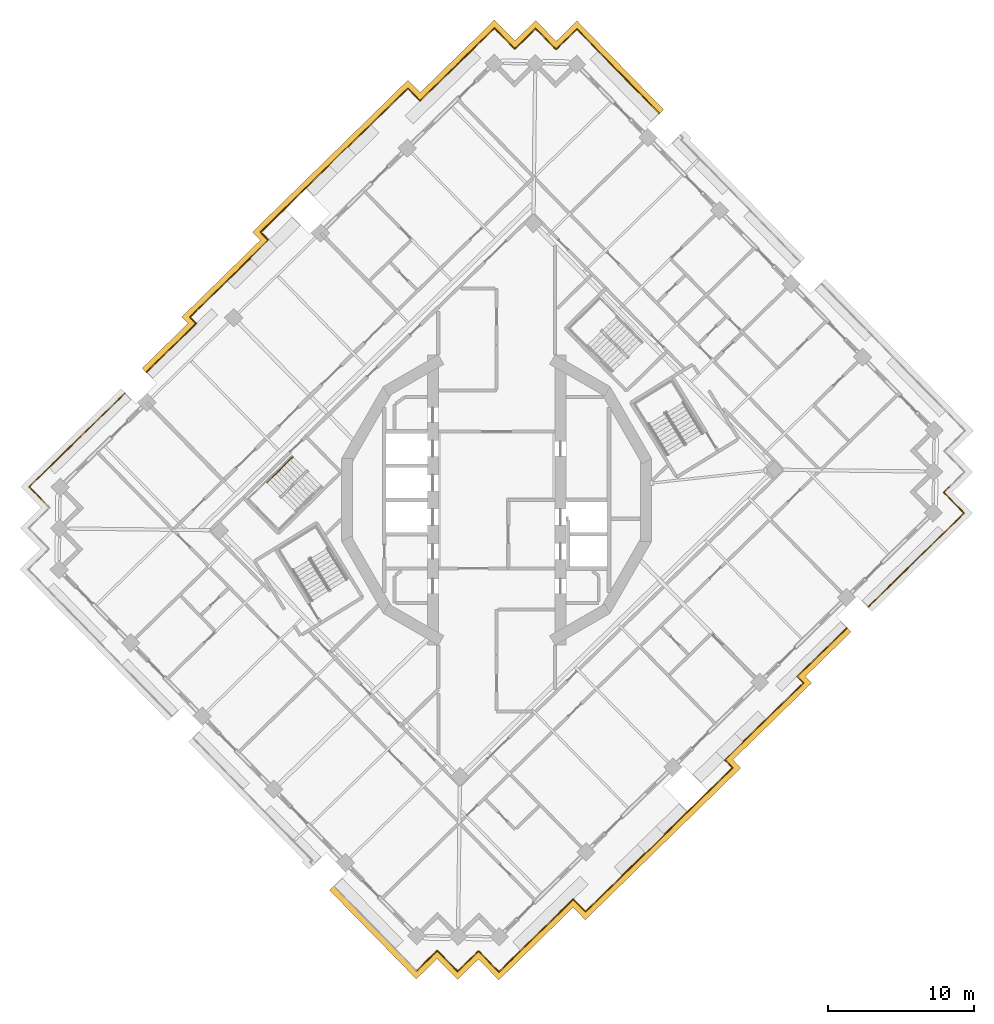
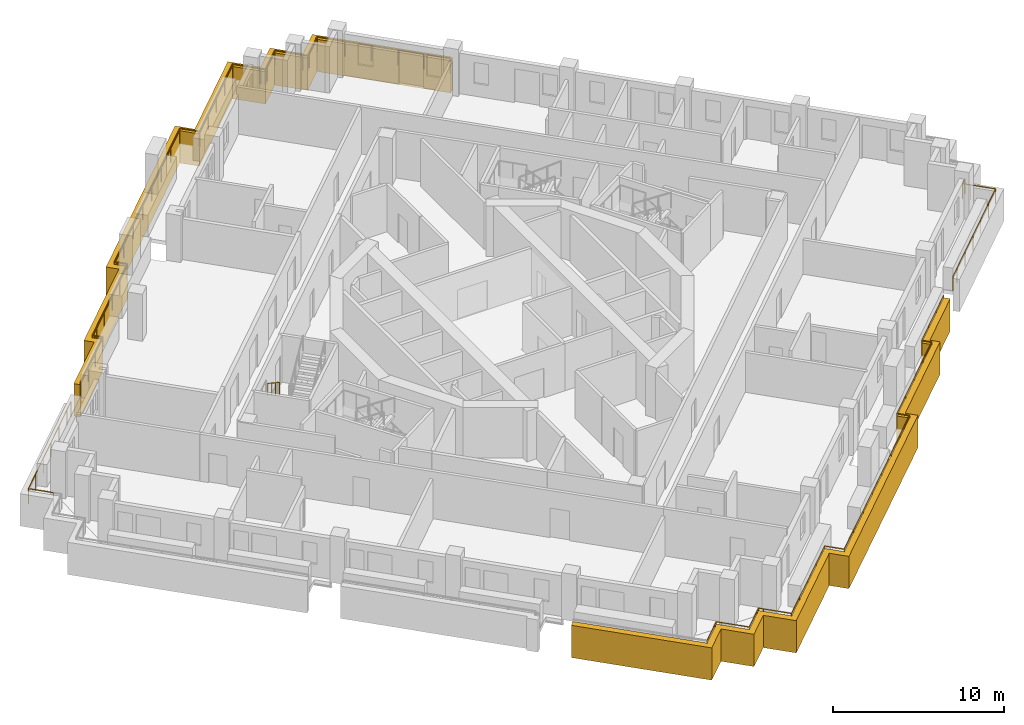
# One storey, part 14 of 17: 5 railings, 2 coverings.
"""IFC4 building model written with IfcOpenShell, lengths in metres."""

from ifc_helpers import new_model, si_unit, direction, frame, origin, origin_2d, place, context, subcontext, project, spatial, polyline, circle, outline, extrude, material, type_object, element, save


model = new_model("IFC4")

# Units and contexts
model_context = context("Model", 3, precision=1e-05, world=origin(), true_north=direction((0.0, 1.0)))
body_context = subcontext(model_context, "Body", "Model", "MODEL_VIEW")
ifc_project = project(units=[si_unit("LENGTHUNIT", "METRE"), si_unit("AREAUNIT", "SQUARE_METRE"), si_unit("VOLUMEUNIT", "CUBIC_METRE"), si_unit("PLANEANGLEUNIT", "RADIAN"), si_unit("MASSUNIT", "GRAM", prefix="KILO")], contexts=[model_context])

# Site, building, storey
site_placement = place(None, origin())
site = spatial("IfcSite", under=ifc_project, at=site_placement, CompositionType="ELEMENT")
building_placement = place(site_placement, origin())
building = spatial("IfcBuilding", under=site, at=building_placement, Name="Cantera Rosa Tower", CompositionType="ELEMENT")
storey_placement = place(building_placement, frame((0.0, 0.0, 227.0)))
storey = spatial("IfcBuildingStorey", under=building, at=storey_placement, Name="L49", CompositionType="ELEMENT", Elevation=227.0)

# Railings
ifc_material_1 = material(Name="Stainless steel and laminated glass", Category="steel")
railing_type_1 = type_object("IfcRailingType", Name="GUARD 1100", PredefinedType="BALUSTRADE", material=ifc_material_1)
railing_1_placement = place(storey_placement, frame((-31.0107421875, -0.16943359375, 0.0)))
element("IfcRailing", 1, at=railing_1_placement, inside=storey, type_object=railing_type_1, Name="GUARD L49-2", PredefinedType="BALUSTRADE", context=body_context, shape_type="SweptSolid", body=[
    extrude(circle(Radius=0.030029296875, at=origin_2d()), frame((0.0, 0.0, 1.070068359375), z_axis=(-0.698838323933, 0.71527966349, 0.0), x_axis=(-0.71527966349, -0.698838323933, 0.0)), (0.0, 0.0, 1.0), 1.499755859375),
    extrude(circle(Radius=0.030029296875, at=origin_2d()), frame((-1.048095703125, 1.07275390625, 1.070068359375), z_axis=(0.71519829713, 0.698921594874, 0.0), x_axis=(-0.698921594874, 0.71519829713, 0.0)), (0.0, 0.0, 1.0), 1.5),
    extrude(circle(Radius=0.030029296875, at=origin_2d()), frame((0.024658203125, 2.12109375, 1.070068359375), z_axis=(0.71527874674, 0.69883926225, 0.0), x_axis=(-0.69883926225, 0.71527874674, 0.0)), (0.0, 0.0, 1.0), 6.816650390625),
    extrude(circle(Radius=0.030029296875, at=origin_2d()), frame((4.900390625, 6.884765625, 1.070068359375), z_axis=(-0.668964731622, 0.743294146247, 0.0), x_axis=(-0.743294146247, -0.668964731622, 0.0)), (0.0, 0.0, 1.0), 0.003173828125),
    extrude(circle(Radius=0.030029296875, at=origin_2d()), frame((4.898193359375, 6.88720703125, 1.070068359375), z_axis=(0.715304688836, 0.698812708906, 0.0), x_axis=(-0.698812708906, 0.715304688836, 0.0)), (0.0, 0.0, 1.0), 0.873291015625),
    extrude(circle(Radius=0.02490234375, at=origin_2d()), origin(), (0.0, 0.0, 1.0), 1.0400390625),
    extrude(circle(Radius=0.02490234375, at=origin_2d()), frame((-1.048095703125, 1.07275390625, 0.0)), (0.0, 0.0, 1.0), 1.0400390625),
    extrude(circle(Radius=0.02490234375, at=origin_2d()), frame((0.024658203125, 2.12109375, 0.0)), (0.0, 0.0, 1.0), 1.0400390625),
    extrude(circle(Radius=0.02490234375, at=origin_2d()), frame((1.24365234375, 3.31201171875, 0.0)), (0.0, 0.0, 1.0), 1.0400390625),
    extrude(circle(Radius=0.02490234375, at=origin_2d()), frame((2.46240234375, 4.5029296875, 0.0)), (0.0, 0.0, 1.0), 1.0400390625),
    extrude(circle(Radius=0.02490234375, at=origin_2d()), frame((3.681396484375, 5.69384765625, 0.0)), (0.0, 0.0, 1.0), 1.0400390625),
    extrude(circle(Radius=0.02490234375, at=origin_2d()), frame((4.900390625, 6.884765625, 0.0)), (0.0, 0.0, 1.0), 1.0400390625),
    extrude(circle(Radius=0.02490234375, at=origin_2d()), frame((4.898193359375, 6.88720703125, 0.0)), (0.0, 0.0, 1.0), 1.0400390625),
    extrude(circle(Radius=0.02490234375, at=origin_2d()), frame((5.52294921875, 7.49755859375, 0.0)), (0.0, 0.0, 1.0), 1.0400390625),
])
railing_2_placement = place(storey_placement, frame((-24.014404296875, 8.767822265625, 0.0)))
element("IfcRailing", 2, at=railing_2_placement, inside=storey, type_object=railing_type_1, Name="GUARD L49-4", PredefinedType="BALUSTRADE", context=body_context, shape_type="SweptSolid", body=[
    extrude(circle(Radius=0.030029296875, at=origin_2d()), frame((0.0, 0.0, 1.070068359375), z_axis=(0.716282193605, 0.697810733025, 0.0), x_axis=(-0.697810733025, 0.716282193605, 0.0)), (0.0, 0.0, 1.0), 0.118896484375),
    extrude(circle(Radius=0.030029296875, at=origin_2d()), frame((0.085205078125, 0.0830078125, 1.070068359375), z_axis=(0.554700196225, 0.832050294338, 0.0), x_axis=(-0.832050294338, 0.554700196225, 0.0)), (0.0, 0.0, 1.0), 0.0009765625),
    extrude(circle(Radius=0.030029296875, at=origin_2d()), frame((0.085693359375, 0.083740234375, 1.070068359375), z_axis=(0.715296071173, 0.698821529837, 0.0), x_axis=(-0.698821529837, 0.715296071173, 0.0)), (0.0, 0.0, 1.0), 3.08251953125),
    extrude(circle(Radius=0.030029296875, at=origin_2d()), frame((2.29052734375, 2.23779296875, 1.070068359375), z_axis=(0.715323605345, 0.698793345444, 0.0), x_axis=(-0.698793345444, 0.715323605345, 0.0)), (0.0, 0.0, 1.0), 1.5654296875),
    extrude(circle(Radius=0.030029296875, at=origin_2d()), frame((3.410400390625, 3.331787109375, 1.070068359375), z_axis=(0.66436383883, 0.747409318684, 0.0), x_axis=(-0.747409318684, 0.66436383883, 0.0)), (0.0, 0.0, 1.0), 0.0029296875),
    extrude(circle(Radius=0.030029296875, at=origin_2d()), frame((3.412353515625, 3.333984375, 1.070068359375), z_axis=(-0.66436383883, 0.747409318684, 0.0), x_axis=(-0.747409318684, -0.66436383883, 0.0)), (0.0, 0.0, 1.0), 0.0029296875),
    extrude(circle(Radius=0.030029296875, at=origin_2d()), frame((3.410400390625, 3.336181640625, 1.070068359375), z_axis=(-0.698593002059, 0.715519264223, 0.0), x_axis=(-0.715519264223, -0.698593002059, 0.0)), (0.0, 0.0, 1.0), 0.15869140625),
    extrude(circle(Radius=0.030029296875, at=origin_2d()), frame((3.299560546875, 3.44970703125, 1.070068359375), z_axis=(-0.699026344896, 0.715095916043, 0.0), x_axis=(-0.715095916043, -0.699026344896, 0.0)), (0.0, 0.0, 1.0), 0.303955078125),
    extrude(circle(Radius=0.030029296875, at=origin_2d()), frame((3.087158203125, 3.6669921875, 1.070068359375), z_axis=(-0.707106781187, 0.707106781187, 0.0), x_axis=(-0.707106781187, -0.707106781187, 0.0)), (0.0, 0.0, 1.0), 0.0009765625),
    extrude(circle(Radius=0.030029296875, at=origin_2d()), frame((3.08642578125, 3.667724609375, 1.070068359375), z_axis=(-0.698037131127, 0.716061564091, 0.0), x_axis=(-0.716061564091, -0.698037131127, 0.0)), (0.0, 0.0, 1.0), 0.14892578125),
    extrude(circle(Radius=0.030029296875, at=origin_2d()), frame((2.982421875, 3.7744140625, 1.070068359375), z_axis=(0.715311188889, 0.69880605539, 0.0), x_axis=(-0.69880605539, 0.715311188889, 0.0)), (0.0, 0.0, 1.0), 0.9169921875),
    extrude(circle(Radius=0.030029296875, at=origin_2d()), frame((3.638427734375, 4.415283203125, 1.070068359375), z_axis=(0.71527932801, 0.698838667306, 0.0), x_axis=(-0.698838667306, 0.71527932801, 0.0)), (0.0, 0.0, 1.0), 6.623046875),
    extrude(circle(Radius=0.030029296875, at=origin_2d()), frame((8.375732421875, 9.043701171875, 1.070068359375), z_axis=(0.707106781187, 0.707106781187, 0.0), x_axis=(-0.707106781187, 0.707106781187, 0.0)), (0.0, 0.0, 1.0), 0.00341796875),
    extrude(circle(Radius=0.030029296875, at=origin_2d()), frame((8.378173828125, 9.046142578125, 1.070068359375), z_axis=(-0.672672793996, 0.739940073396, 0.0), x_axis=(-0.739940073396, -0.672672793996, 0.0)), (0.0, 0.0, 1.0), 0.003662109375),
    extrude(circle(Radius=0.030029296875, at=origin_2d()), frame((8.375732421875, 9.048828125, 1.070068359375), z_axis=(-0.698823529412, 0.715294117647, 0.0), x_axis=(-0.715294117647, -0.698823529412, 0.0)), (0.0, 0.0, 1.0), 0.62255859375),
    extrude(circle(Radius=0.030029296875, at=origin_2d()), frame((7.940673828125, 9.494140625, 1.070068359375), z_axis=(-0.698914008722, 0.715205710557, 0.0), x_axis=(-0.715205710557, -0.698914008722, 0.0)), (0.0, 0.0, 1.0), 0.14990234375),
    extrude(circle(Radius=0.030029296875, at=origin_2d()), frame((7.8359375, 9.601318359375, 1.070068359375), z_axis=(0.715277417683, 0.698840622569, 0.0), x_axis=(-0.698840622569, 0.715277417683, 0.0)), (0.0, 0.0, 1.0), 14.110595703125),
    extrude(circle(Radius=0.030029296875, at=origin_2d()), frame((17.928955078125, 19.46240234375, 1.070068359375), z_axis=(0.698890211106, -0.715228965311, 0.0), x_axis=(0.715228965311, 0.698890211106, 0.0)), (0.0, 0.0, 1.0), 1.1953125),
    extrude(circle(Radius=0.030029296875, at=origin_2d()), frame((18.764404296875, 18.607421875, 1.070068359375), z_axis=(0.715295079704, 0.698822544678, 0.0), x_axis=(-0.698822544678, 0.715295079704, 0.0)), (0.0, 0.0, 1.0), 5.424560546875),
    extrude(circle(Radius=0.030029296875, at=origin_2d()), frame((22.64453125, 22.398193359375, 1.070068359375), z_axis=(0.715316077832, 0.69880105094, 0.0), x_axis=(-0.69880105094, 0.715316077832, 0.0)), (0.0, 0.0, 1.0), 1.699951171875),
    extrude(circle(Radius=0.030029296875, at=origin_2d()), frame((23.860595703125, 23.586181640625, 1.070068359375), z_axis=(0.698872839675, -0.715245939495, 0.0), x_axis=(0.715245939495, 0.698872839675, 0.0)), (0.0, 0.0, 1.0), 1.699951171875),
    extrude(circle(Radius=0.030029296875, at=origin_2d()), frame((25.048583984375, 22.370361328125, 1.070068359375), z_axis=(0.698506948293, -0.715603272202, 0.0), x_axis=(0.715603272202, 0.698506948293, 0.0)), (0.0, 0.0, 1.0), 0.2998046875),
    extrude(circle(Radius=0.030029296875, at=origin_2d()), frame((25.258056640625, 22.15576171875, 1.070068359375), z_axis=(0.715196445894, 0.698923489218, 0.0), x_axis=(-0.698923489218, 0.715196445894, 0.0)), (0.0, 0.0, 1.0), 0.300048828125),
    extrude(circle(Radius=0.030029296875, at=origin_2d()), frame((25.47265625, 22.365478515625, 1.070068359375), z_axis=(0.715316077832, 0.69880105094, 0.0), x_axis=(-0.69880105094, 0.715316077832, 0.0)), (0.0, 0.0, 1.0), 1.699951171875),
    extrude(circle(Radius=0.030029296875, at=origin_2d()), frame((26.688720703125, 23.553466796875, 1.070068359375), z_axis=(0.69880105094, -0.715316077832, 0.0), x_axis=(0.715316077832, 0.69880105094, 0.0)), (0.0, 0.0, 1.0), 1.699951171875),
    extrude(circle(Radius=0.030029296875, at=origin_2d()), frame((27.876708984375, 22.33740234375, 1.070068359375), z_axis=(0.698923489218, -0.715196445894, 0.0), x_axis=(0.715196445894, 0.698923489218, 0.0)), (0.0, 0.0, 1.0), 0.300048828125),
    extrude(circle(Radius=0.030029296875, at=origin_2d()), frame((28.08642578125, 22.122802734375, 1.070068359375), z_axis=(0.715196445894, 0.698923489218, 0.0), x_axis=(-0.698923489218, 0.715196445894, 0.0)), (0.0, 0.0, 1.0), 0.300048828125),
    extrude(circle(Radius=0.030029296875, at=origin_2d()), frame((28.301025390625, 22.33251953125, 1.070068359375), z_axis=(0.715316077832, 0.69880105094, 0.0), x_axis=(-0.69880105094, 0.715316077832, 0.0)), (0.0, 0.0, 1.0), 1.699951171875),
    extrude(circle(Radius=0.030029296875, at=origin_2d()), frame((29.51708984375, 23.5205078125, 1.070068359375), z_axis=(0.69880105094, -0.715316077832, 0.0), x_axis=(0.715316077832, 0.69880105094, 0.0)), (0.0, 0.0, 1.0), 1.699951171875),
    extrude(circle(Radius=0.030029296875, at=origin_2d()), frame((30.705078125, 22.304443359375, 1.070068359375), z_axis=(0.698825008445, -0.715292672668, 0.0), x_axis=(0.715292672668, 0.698825008445, 0.0)), (0.0, 0.0, 1.0), 6.389892578125),
    extrude(circle(Radius=0.02490234375, at=origin_2d()), origin(), (0.0, 0.0, 1.0), 1.0400390625),
    extrude(circle(Radius=0.02490234375, at=origin_2d()), frame((0.085205078125, 0.0830078125, 0.0)), (0.0, 0.0, 1.0), 1.0400390625),
    extrude(circle(Radius=0.02490234375, at=origin_2d()), frame((0.085693359375, 0.083740234375, 0.0)), (0.0, 0.0, 1.0), 1.0400390625),
    extrude(circle(Radius=0.02490234375, at=origin_2d()), frame((1.18798828125, 1.16064453125, 0.0)), (0.0, 0.0, 1.0), 1.0400390625),
    extrude(circle(Radius=0.02490234375, at=origin_2d()), frame((2.29052734375, 2.23779296875, 0.0)), (0.0, 0.0, 1.0), 1.0400390625),
    extrude(circle(Radius=0.02490234375, at=origin_2d()), frame((3.410400390625, 3.331787109375, 0.0)), (0.0, 0.0, 1.0), 1.0400390625),
    extrude(circle(Radius=0.02490234375, at=origin_2d()), frame((3.412353515625, 3.333984375, 0.0)), (0.0, 0.0, 1.0), 1.0400390625),
    extrude(circle(Radius=0.02490234375, at=origin_2d()), frame((3.410400390625, 3.336181640625, 0.0)), (0.0, 0.0, 1.0), 1.0400390625),
    extrude(circle(Radius=0.02490234375, at=origin_2d()), frame((3.299560546875, 3.44970703125, 0.0)), (0.0, 0.0, 1.0), 1.0400390625),
    extrude(circle(Radius=0.02490234375, at=origin_2d()), frame((3.087158203125, 3.6669921875, 0.0)), (0.0, 0.0, 1.0), 1.0400390625),
    extrude(circle(Radius=0.02490234375, at=origin_2d()), frame((3.08642578125, 3.667724609375, 0.0)), (0.0, 0.0, 1.0), 1.0400390625),
    extrude(circle(Radius=0.02490234375, at=origin_2d()), frame((2.982421875, 3.7744140625, 0.0)), (0.0, 0.0, 1.0), 1.0400390625),
    extrude(circle(Radius=0.02490234375, at=origin_2d()), frame((3.638427734375, 4.415283203125, 0.0)), (0.0, 0.0, 1.0), 1.0400390625),
    extrude(circle(Radius=0.02490234375, at=origin_2d()), frame((4.82275390625, 5.572265625, 0.0)), (0.0, 0.0, 1.0), 1.0400390625),
    extrude(circle(Radius=0.02490234375, at=origin_2d()), frame((6.007080078125, 6.7294921875, 0.0)), (0.0, 0.0, 1.0), 1.0400390625),
    extrude(circle(Radius=0.02490234375, at=origin_2d()), frame((7.19140625, 7.88671875, 0.0)), (0.0, 0.0, 1.0), 1.0400390625),
    extrude(circle(Radius=0.02490234375, at=origin_2d()), frame((8.375732421875, 9.043701171875, 0.0)), (0.0, 0.0, 1.0), 1.0400390625),
    extrude(circle(Radius=0.02490234375, at=origin_2d()), frame((8.378173828125, 9.046142578125, 0.0)), (0.0, 0.0, 1.0), 1.0400390625),
    extrude(circle(Radius=0.02490234375, at=origin_2d()), frame((8.375732421875, 9.048828125, 0.0)), (0.0, 0.0, 1.0), 1.0400390625),
    extrude(circle(Radius=0.02490234375, at=origin_2d()), frame((7.940673828125, 9.494140625, 0.0)), (0.0, 0.0, 1.0), 1.0400390625),
    extrude(circle(Radius=0.02490234375, at=origin_2d()), frame((7.8359375, 9.601318359375, 0.0)), (0.0, 0.0, 1.0), 1.0400390625),
    extrude(circle(Radius=0.02490234375, at=origin_2d()), frame((9.27783203125, 11.010009765625, 0.0)), (0.0, 0.0, 1.0), 1.0400390625),
    extrude(circle(Radius=0.02490234375, at=origin_2d()), frame((10.7197265625, 12.418701171875, 0.0)), (0.0, 0.0, 1.0), 1.0400390625),
    extrude(circle(Radius=0.02490234375, at=origin_2d()), frame((12.16162109375, 13.827392578125, 0.0)), (0.0, 0.0, 1.0), 1.0400390625),
    extrude(circle(Radius=0.02490234375, at=origin_2d()), frame((13.603271484375, 15.236328125, 0.0)), (0.0, 0.0, 1.0), 1.0400390625),
    extrude(circle(Radius=0.02490234375, at=origin_2d()), frame((15.045166015625, 16.64501953125, 0.0)), (0.0, 0.0, 1.0), 1.0400390625),
    extrude(circle(Radius=0.02490234375, at=origin_2d()), frame((16.487060546875, 18.0537109375, 0.0)), (0.0, 0.0, 1.0), 1.0400390625),
    extrude(circle(Radius=0.02490234375, at=origin_2d()), frame((17.928955078125, 19.46240234375, 0.0)), (0.0, 0.0, 1.0), 1.0400390625),
    extrude(circle(Radius=0.02490234375, at=origin_2d()), frame((18.764404296875, 18.607421875, 0.0)), (0.0, 0.0, 1.0), 1.0400390625),
    extrude(circle(Radius=0.02490234375, at=origin_2d()), frame((20.057861328125, 19.87109375, 0.0)), (0.0, 0.0, 1.0), 1.0400390625),
    extrude(circle(Radius=0.02490234375, at=origin_2d()), frame((21.35107421875, 21.134521484375, 0.0)), (0.0, 0.0, 1.0), 1.0400390625),
    extrude(circle(Radius=0.02490234375, at=origin_2d()), frame((22.64453125, 22.398193359375, 0.0)), (0.0, 0.0, 1.0), 1.0400390625),
    extrude(circle(Radius=0.02490234375, at=origin_2d()), frame((23.860595703125, 23.586181640625, 0.0)), (0.0, 0.0, 1.0), 1.0400390625),
    extrude(circle(Radius=0.02490234375, at=origin_2d()), frame((25.048583984375, 22.370361328125, 0.0)), (0.0, 0.0, 1.0), 1.0400390625),
    extrude(circle(Radius=0.02490234375, at=origin_2d()), frame((25.258056640625, 22.15576171875, 0.0)), (0.0, 0.0, 1.0), 1.0400390625),
    extrude(circle(Radius=0.02490234375, at=origin_2d()), frame((25.47265625, 22.365478515625, 0.0)), (0.0, 0.0, 1.0), 1.0400390625),
    extrude(circle(Radius=0.02490234375, at=origin_2d()), frame((26.688720703125, 23.553466796875, 0.0)), (0.0, 0.0, 1.0), 1.0400390625),
    extrude(circle(Radius=0.02490234375, at=origin_2d()), frame((27.876708984375, 22.33740234375, 0.0)), (0.0, 0.0, 1.0), 1.0400390625),
    extrude(circle(Radius=0.02490234375, at=origin_2d()), frame((28.08642578125, 22.122802734375, 0.0)), (0.0, 0.0, 1.0), 1.0400390625),
    extrude(circle(Radius=0.02490234375, at=origin_2d()), frame((28.301025390625, 22.33251953125, 0.0)), (0.0, 0.0, 1.0), 1.0400390625),
    extrude(circle(Radius=0.02490234375, at=origin_2d()), frame((29.51708984375, 23.5205078125, 0.0)), (0.0, 0.0, 1.0), 1.0400390625),
    extrude(circle(Radius=0.02490234375, at=origin_2d()), frame((30.705078125, 22.304443359375, 0.0)), (0.0, 0.0, 1.0), 1.0400390625),
    extrude(circle(Radius=0.02490234375, at=origin_2d()), frame((31.8212890625, 21.161865234375, 0.0)), (0.0, 0.0, 1.0), 1.0400390625),
    extrude(circle(Radius=0.02490234375, at=origin_2d()), frame((32.937744140625, 20.01904296875, 0.0)), (0.0, 0.0, 1.0), 1.0400390625),
    extrude(circle(Radius=0.02490234375, at=origin_2d()), frame((34.05419921875, 18.87646484375, 0.0)), (0.0, 0.0, 1.0), 1.0400390625),
    extrude(circle(Radius=0.02490234375, at=origin_2d()), frame((35.17041015625, 17.73388671875, 0.0)), (0.0, 0.0, 1.0), 1.0400390625),
])
railing_3_placement = place(storey_placement, frame((24.014404296875, -8.767822265625, 0.0)))
element("IfcRailing", 3, at=railing_3_placement, inside=storey, type_object=railing_type_1, Name="GUARD L49-6", PredefinedType="BALUSTRADE", context=body_context, shape_type="SweptSolid", body=[
    extrude(circle(Radius=0.030029296875, at=origin_2d()), frame((0.0, 0.0, 1.070068359375), z_axis=(-0.715297651663, -0.698819912084, 0.0), x_axis=(0.698819912084, -0.715297651663, 0.0)), (0.0, 0.0, 1.0), 4.77099609375),
    extrude(circle(Radius=0.030029296875, at=origin_2d()), frame((-3.41259765625, -3.333984375, 1.070068359375), z_axis=(0.69873008464, -0.715385398802, 0.0), x_axis=(0.715385398802, 0.69873008464, 0.0)), (0.0, 0.0, 1.0), 0.61572265625),
    extrude(circle(Radius=0.030029296875, at=origin_2d()), frame((-2.982421875, -3.7744140625, 1.070068359375), z_axis=(-0.715295288372, -0.698822331092, 0.0), x_axis=(0.698822331092, -0.715295288372, 0.0)), (0.0, 0.0, 1.0), 7.543701171875),
    extrude(circle(Radius=0.030029296875, at=origin_2d()), frame((-8.37841796875, -9.046142578125, 1.070068359375), z_axis=(0.698881757266, -0.715237225933, 0.0), x_axis=(0.715237225933, 0.698881757266, 0.0)), (0.0, 0.0, 1.0), 0.776123046875),
    extrude(circle(Radius=0.030029296875, at=origin_2d()), frame((-7.8359375, -9.601318359375, 1.070068359375), z_axis=(-0.715277417683, -0.698840622569, 0.0), x_axis=(0.698840622569, -0.715277417683, 0.0)), (0.0, 0.0, 1.0), 14.110595703125),
    extrude(circle(Radius=0.030029296875, at=origin_2d()), frame((-17.928955078125, -19.46240234375, 1.070068359375), z_axis=(-0.698890211106, 0.715228965311, 0.0), x_axis=(-0.715228965311, -0.698890211106, 0.0)), (0.0, 0.0, 1.0), 1.1953125),
    extrude(circle(Radius=0.030029296875, at=origin_2d()), frame((-18.764404296875, -18.607421875, 1.070068359375), z_axis=(-0.715295079704, -0.698822544678, 0.0), x_axis=(0.698822544678, -0.715295079704, 0.0)), (0.0, 0.0, 1.0), 5.424560546875),
    extrude(circle(Radius=0.030029296875, at=origin_2d()), frame((-22.64453125, -22.398193359375, 1.070068359375), z_axis=(-0.715316077832, -0.69880105094, 0.0), x_axis=(0.69880105094, -0.715316077832, 0.0)), (0.0, 0.0, 1.0), 1.699951171875),
    extrude(circle(Radius=0.030029296875, at=origin_2d()), frame((-23.860595703125, -23.586181640625, 1.070068359375), z_axis=(-0.698872839675, 0.715245939495, 0.0), x_axis=(-0.715245939495, -0.698872839675, 0.0)), (0.0, 0.0, 1.0), 1.699951171875),
    extrude(circle(Radius=0.030029296875, at=origin_2d()), frame((-25.048583984375, -22.370361328125, 1.070068359375), z_axis=(-0.698506948293, 0.715603272202, 0.0), x_axis=(-0.715603272202, -0.698506948293, 0.0)), (0.0, 0.0, 1.0), 0.2998046875),
    extrude(circle(Radius=0.030029296875, at=origin_2d()), frame((-25.258056640625, -22.15576171875, 1.070068359375), z_axis=(-0.715196445894, -0.698923489218, 0.0), x_axis=(0.698923489218, -0.715196445894, 0.0)), (0.0, 0.0, 1.0), 0.300048828125),
    extrude(circle(Radius=0.030029296875, at=origin_2d()), frame((-25.47265625, -22.365478515625, 1.070068359375), z_axis=(-0.715316077832, -0.69880105094, 0.0), x_axis=(0.69880105094, -0.715316077832, 0.0)), (0.0, 0.0, 1.0), 1.699951171875),
    extrude(circle(Radius=0.030029296875, at=origin_2d()), frame((-26.688720703125, -23.553466796875, 1.070068359375), z_axis=(-0.69880105094, 0.715316077832, 0.0), x_axis=(-0.715316077832, -0.69880105094, 0.0)), (0.0, 0.0, 1.0), 1.699951171875),
    extrude(circle(Radius=0.030029296875, at=origin_2d()), frame((-27.876708984375, -22.33740234375, 1.070068359375), z_axis=(-0.698923489218, 0.715196445894, 0.0), x_axis=(-0.715196445894, -0.698923489218, 0.0)), (0.0, 0.0, 1.0), 0.300048828125),
    extrude(circle(Radius=0.030029296875, at=origin_2d()), frame((-28.08642578125, -22.122802734375, 1.070068359375), z_axis=(-0.715196445894, -0.698923489218, 0.0), x_axis=(0.698923489218, -0.715196445894, 0.0)), (0.0, 0.0, 1.0), 0.300048828125),
    extrude(circle(Radius=0.030029296875, at=origin_2d()), frame((-28.301025390625, -22.33251953125, 1.070068359375), z_axis=(-0.715316077832, -0.69880105094, 0.0), x_axis=(0.69880105094, -0.715316077832, 0.0)), (0.0, 0.0, 1.0), 1.699951171875),
    extrude(circle(Radius=0.02490234375, at=origin_2d()), origin(), (0.0, 0.0, 1.0), 1.0400390625),
    extrude(circle(Radius=0.02490234375, at=origin_2d()), frame((-1.137451171875, -1.111328125, 0.0)), (0.0, 0.0, 1.0), 1.0400390625),
    extrude(circle(Radius=0.02490234375, at=origin_2d()), frame((-2.275146484375, -2.22265625, 0.0)), (0.0, 0.0, 1.0), 1.0400390625),
    extrude(circle(Radius=0.02490234375, at=origin_2d()), frame((-3.41259765625, -3.333984375, 0.0)), (0.0, 0.0, 1.0), 1.0400390625),
    extrude(circle(Radius=0.02490234375, at=origin_2d()), frame((-2.982421875, -3.7744140625, 0.0)), (0.0, 0.0, 1.0), 1.0400390625),
    extrude(circle(Radius=0.02490234375, at=origin_2d()), frame((-4.33154296875, -5.09228515625, 0.0)), (0.0, 0.0, 1.0), 1.0400390625),
    extrude(circle(Radius=0.02490234375, at=origin_2d()), frame((-5.680419921875, -6.41015625, 0.0)), (0.0, 0.0, 1.0), 1.0400390625),
    extrude(circle(Radius=0.02490234375, at=origin_2d()), frame((-7.029296875, -7.728271484375, 0.0)), (0.0, 0.0, 1.0), 1.0400390625),
    extrude(circle(Radius=0.02490234375, at=origin_2d()), frame((-8.37841796875, -9.046142578125, 0.0)), (0.0, 0.0, 1.0), 1.0400390625),
    extrude(circle(Radius=0.02490234375, at=origin_2d()), frame((-7.8359375, -9.601318359375, 0.0)), (0.0, 0.0, 1.0), 1.0400390625),
    extrude(circle(Radius=0.02490234375, at=origin_2d()), frame((-9.27783203125, -11.010009765625, 0.0)), (0.0, 0.0, 1.0), 1.0400390625),
    extrude(circle(Radius=0.02490234375, at=origin_2d()), frame((-10.7197265625, -12.418701171875, 0.0)), (0.0, 0.0, 1.0), 1.0400390625),
    extrude(circle(Radius=0.02490234375, at=origin_2d()), frame((-12.16162109375, -13.827392578125, 0.0)), (0.0, 0.0, 1.0), 1.0400390625),
    extrude(circle(Radius=0.02490234375, at=origin_2d()), frame((-13.603271484375, -15.236328125, 0.0)), (0.0, 0.0, 1.0), 1.0400390625),
    extrude(circle(Radius=0.02490234375, at=origin_2d()), frame((-15.045166015625, -16.64501953125, 0.0)), (0.0, 0.0, 1.0), 1.0400390625),
    extrude(circle(Radius=0.02490234375, at=origin_2d()), frame((-16.487060546875, -18.0537109375, 0.0)), (0.0, 0.0, 1.0), 1.0400390625),
    extrude(circle(Radius=0.02490234375, at=origin_2d()), frame((-17.928955078125, -19.46240234375, 0.0)), (0.0, 0.0, 1.0), 1.0400390625),
    extrude(circle(Radius=0.02490234375, at=origin_2d()), frame((-18.764404296875, -18.607421875, 0.0)), (0.0, 0.0, 1.0), 1.0400390625),
    extrude(circle(Radius=0.02490234375, at=origin_2d()), frame((-20.057861328125, -19.87109375, 0.0)), (0.0, 0.0, 1.0), 1.0400390625),
    extrude(circle(Radius=0.02490234375, at=origin_2d()), frame((-21.35107421875, -21.134521484375, 0.0)), (0.0, 0.0, 1.0), 1.0400390625),
    extrude(circle(Radius=0.02490234375, at=origin_2d()), frame((-22.64453125, -22.398193359375, 0.0)), (0.0, 0.0, 1.0), 1.0400390625),
    extrude(circle(Radius=0.02490234375, at=origin_2d()), frame((-23.860595703125, -23.586181640625, 0.0)), (0.0, 0.0, 1.0), 1.0400390625),
    extrude(circle(Radius=0.02490234375, at=origin_2d()), frame((-25.048583984375, -22.370361328125, 0.0)), (0.0, 0.0, 1.0), 1.0400390625),
    extrude(circle(Radius=0.02490234375, at=origin_2d()), frame((-25.258056640625, -22.15576171875, 0.0)), (0.0, 0.0, 1.0), 1.0400390625),
    extrude(circle(Radius=0.02490234375, at=origin_2d()), frame((-25.47265625, -22.365478515625, 0.0)), (0.0, 0.0, 1.0), 1.0400390625),
    extrude(circle(Radius=0.02490234375, at=origin_2d()), frame((-26.688720703125, -23.553466796875, 0.0)), (0.0, 0.0, 1.0), 1.0400390625),
    extrude(circle(Radius=0.02490234375, at=origin_2d()), frame((-27.876708984375, -22.33740234375, 0.0)), (0.0, 0.0, 1.0), 1.0400390625),
    extrude(circle(Radius=0.02490234375, at=origin_2d()), frame((-28.08642578125, -22.122802734375, 0.0)), (0.0, 0.0, 1.0), 1.0400390625),
    extrude(circle(Radius=0.02490234375, at=origin_2d()), frame((-28.301025390625, -22.33251953125, 0.0)), (0.0, 0.0, 1.0), 1.0400390625),
    extrude(circle(Radius=0.02490234375, at=origin_2d()), frame((-29.51708984375, -23.5205078125, 0.0)), (0.0, 0.0, 1.0), 1.0400390625),
])
railing_4_placement = place(storey_placement, frame((31.01904296875, 0.87646484375, 0.0)))
element("IfcRailing", 4, at=railing_4_placement, inside=storey, type_object=railing_type_1, Name="GUARD L49-7", PredefinedType="BALUSTRADE", context=body_context, shape_type="SweptSolid", body=[
    extrude(circle(Radius=0.030029296875, at=origin_2d()), frame((0.0, 0.0, 1.070068359375), z_axis=(-0.715359149995, -0.698756958118, 0.0), x_axis=(0.698756958118, -0.715359149995, 0.0)), (0.0, 0.0, 1.0), 0.5),
    extrude(circle(Radius=0.030029296875, at=origin_2d()), frame((-0.357666015625, -0.349365234375, 1.070068359375), z_axis=(0.698756958118, -0.715359149995, 0.0), x_axis=(0.715359149995, 0.698756958118, 0.0)), (0.0, 0.0, 1.0), 0.5),
    extrude(circle(Radius=0.030029296875, at=origin_2d()), frame((-0.00830078125, -0.70703125, 1.070068359375), z_axis=(0.698838323933, -0.71527966349, 0.0), x_axis=(0.71527966349, 0.698838323933, 0.0)), (0.0, 0.0, 1.0), 1.499755859375),
    extrude(circle(Radius=0.030029296875, at=origin_2d()), frame((1.039794921875, -1.77978515625, 1.070068359375), z_axis=(-0.71519829713, -0.698921594874, 0.0), x_axis=(0.698921594874, -0.71519829713, 0.0)), (0.0, 0.0, 1.0), 1.5),
    extrude(circle(Radius=0.030029296875, at=origin_2d()), frame((-0.032958984375, -2.828125, 1.070068359375), z_axis=(-0.71527874674, -0.69883926225, 0.0), x_axis=(0.69883926225, -0.71527874674, 0.0)), (0.0, 0.0, 1.0), 6.816650390625),
    extrude(circle(Radius=0.030029296875, at=origin_2d()), frame((-4.90869140625, -7.591796875, 1.070068359375), z_axis=(0.668964731622, -0.743294146247, 0.0), x_axis=(0.743294146247, 0.668964731622, 0.0)), (0.0, 0.0, 1.0), 0.003173828125),
    extrude(circle(Radius=0.030029296875, at=origin_2d()), frame((-4.906494140625, -7.59423828125, 1.070068359375), z_axis=(-0.715304688836, -0.698812708906, 0.0), x_axis=(0.698812708906, -0.715304688836, 0.0)), (0.0, 0.0, 1.0), 0.873291015625),
    extrude(circle(Radius=0.02490234375, at=origin_2d()), origin(), (0.0, 0.0, 1.0), 1.0400390625),
    extrude(circle(Radius=0.02490234375, at=origin_2d()), frame((-0.357666015625, -0.349365234375, 0.0)), (0.0, 0.0, 1.0), 1.0400390625),
    extrude(circle(Radius=0.02490234375, at=origin_2d()), frame((-0.00830078125, -0.70703125, 0.0)), (0.0, 0.0, 1.0), 1.0400390625),
    extrude(circle(Radius=0.02490234375, at=origin_2d()), frame((1.039794921875, -1.77978515625, 0.0)), (0.0, 0.0, 1.0), 1.0400390625),
    extrude(circle(Radius=0.02490234375, at=origin_2d()), frame((-0.032958984375, -2.828125, 0.0)), (0.0, 0.0, 1.0), 1.0400390625),
    extrude(circle(Radius=0.02490234375, at=origin_2d()), frame((-1.251953125, -4.01904296875, 0.0)), (0.0, 0.0, 1.0), 1.0400390625),
    extrude(circle(Radius=0.02490234375, at=origin_2d()), frame((-2.470703125, -5.2099609375, 0.0)), (0.0, 0.0, 1.0), 1.0400390625),
    extrude(circle(Radius=0.02490234375, at=origin_2d()), frame((-3.689697265625, -6.40087890625, 0.0)), (0.0, 0.0, 1.0), 1.0400390625),
    extrude(circle(Radius=0.02490234375, at=origin_2d()), frame((-4.90869140625, -7.591796875, 0.0)), (0.0, 0.0, 1.0), 1.0400390625),
    extrude(circle(Radius=0.02490234375, at=origin_2d()), frame((-4.906494140625, -7.59423828125, 0.0)), (0.0, 0.0, 1.0), 1.0400390625),
    extrude(circle(Radius=0.02490234375, at=origin_2d()), frame((-5.53125, -8.20458984375, 0.0)), (0.0, 0.0, 1.0), 1.0400390625),
])
ifc_material_2 = material(Name="Steel S355J2 (EN 10025-2)", Category="steel")
railing_type_2 = type_object("IfcRailingType", Name="STAIR HANDRAIL 900", PredefinedType="HANDRAIL", material=ifc_material_2)
railing_5_placement = place(storey_placement, frame((-13.95947265625, 2.9619140625, 0.179931640625)))
element("IfcRailing", 5, at=railing_5_placement, inside=storey, type_object=railing_type_2, Name="L49 ST-43 stair handrail 1", PredefinedType="HANDRAIL", context=body_context, shape_type="SweptSolid", body=[
    extrude(circle(Radius=0.02392578125, at=origin_2d()), frame((0.0, 0.0, 0.8759765625), z_axis=(-0.601672219931, -0.587818193466, 0.54079599776), x_axis=(0.698823692472, -0.715293958342, 0.0)), (0.0, 0.0, 1.0), 2.995849609375),
    extrude(circle(Radius=0.02099609375, at=origin_2d()), origin(), (0.0, 0.0, 1.0), 0.851806640625),
    extrude(circle(Radius=0.02099609375, at=origin_2d()), frame((-0.600830078125, -0.5869140625, 0.5400390625)), (0.0, 0.0, 1.0), 0.851806640625),
    extrude(circle(Radius=0.02099609375, at=origin_2d()), frame((-1.20166015625, -1.174072265625, 1.080078125)), (0.0, 0.0, 1.0), 0.851806640625),
    extrude(circle(Radius=0.02099609375, at=origin_2d()), frame((-1.802490234375, -1.760986328125, 1.6201171875)), (0.0, 0.0, 1.0), 0.851806640625),
])

# Coverings
ifc_material_3 = material(Name="Cantera stone", Category="masonry")
covering_type = type_object("IfcCoveringType", Name="TRAY FASCIA 400", PredefinedType="CLADDING", material=ifc_material_3)
covering_1_placement = place(storey_placement, frame((0.0, 0.0, -1.39990234375)))
element("IfcCovering", 6, at=covering_1_placement, inside=storey, type_object=covering_type, Name="TRAY FASCIA L49-03", PredefinedType="CLADDING", context=body_context, shape_type="SweptSolid", body=[
    extrude(outline(polyline([(-21.16748046875, 12.1083984375), (-21.59765625, 12.548828125), (-16.20166015625, 17.820556640625), (-16.744140625, 18.375732421875), (-6.078857421875, 28.795654296875), (-5.243408203125, 27.940673828125), (-1.6494140625, 31.4521484375), (-0.147216796875, 32.919677734375), (1.250244140625, 31.4892578125), (2.680908203125, 32.886962890625), (4.07861328125, 31.456298828125), (5.50927734375, 32.85400390625), (6.976806640625, 31.351806640625), (11.456298828125, 26.766845703125), (11.170166015625, 26.4873046875), (6.690673828125, 31.072265625), (5.502685546875, 32.288330078125), (4.28662109375, 31.100341796875), (4.072021484375, 30.890625), (3.8623046875, 31.105224609375), (2.67431640625, 32.3212890625), (1.458251953125, 31.13330078125), (1.24365234375, 30.923583984375), (1.0341796875, 31.13818359375), (-0.15380859375, 32.35400390625), (-1.369873046875, 31.166015625), (-5.25, 27.375244140625), (-6.08544921875, 28.230224609375), (-16.178466796875, 18.369140625), (-15.635986328125, 17.81396484375), (-21.031982421875, 12.542236328125), (-20.601806640625, 12.101806640625), (-24.02880859375, 8.753662109375), (-24.308349609375, 9.039794921875), (-21.16748046875, 12.1083984375)])), origin(), (0.0, 0.0, 1.0), 2.2998046875),
])
covering_2_placement = place(storey_placement, frame((0.0, 0.0, -1.39990234375)))
element("IfcCovering", 7, at=covering_2_placement, inside=storey, type_object=covering_type, Name="TRAY FASCIA L49-04", PredefinedType="CLADDING", context=body_context, shape_type="SweptSolid", body=[
    extrude(outline(polyline([(21.16748046875, -12.1083984375), (21.59765625, -12.548828125), (16.20166015625, -17.820556640625), (16.744140625, -18.375732421875), (6.078857421875, -28.795654296875), (5.243408203125, -27.940673828125), (1.6494140625, -31.4521484375), (0.147216796875, -32.919677734375), (-1.250244140625, -31.4892578125), (-2.680908203125, -32.886962890625), (-4.07861328125, -31.456298828125), (-5.50927734375, -32.85400390625), (-6.976806640625, -31.351806640625), (-11.456298828125, -26.766845703125), (-11.170166015625, -26.4873046875), (-6.690673828125, -31.072265625), (-5.502685546875, -32.288330078125), (-4.28662109375, -31.100341796875), (-4.072021484375, -30.890625), (-3.8623046875, -31.105224609375), (-2.67431640625, -32.3212890625), (-1.458251953125, -31.13330078125), (-1.24365234375, -30.923583984375), (-1.0341796875, -31.13818359375), (0.15380859375, -32.35400390625), (1.369873046875, -31.166015625), (5.25, -27.375244140625), (6.08544921875, -28.230224609375), (16.178466796875, -18.369140625), (15.635986328125, -17.81396484375), (21.031982421875, -12.542236328125), (20.601806640625, -12.101806640625), (24.02880859375, -8.753662109375), (24.308349609375, -9.039794921875), (21.16748046875, -12.1083984375)])), origin(), (0.0, 0.0, 1.0), 2.2998046875),
])

save(model, "model.ifc")
